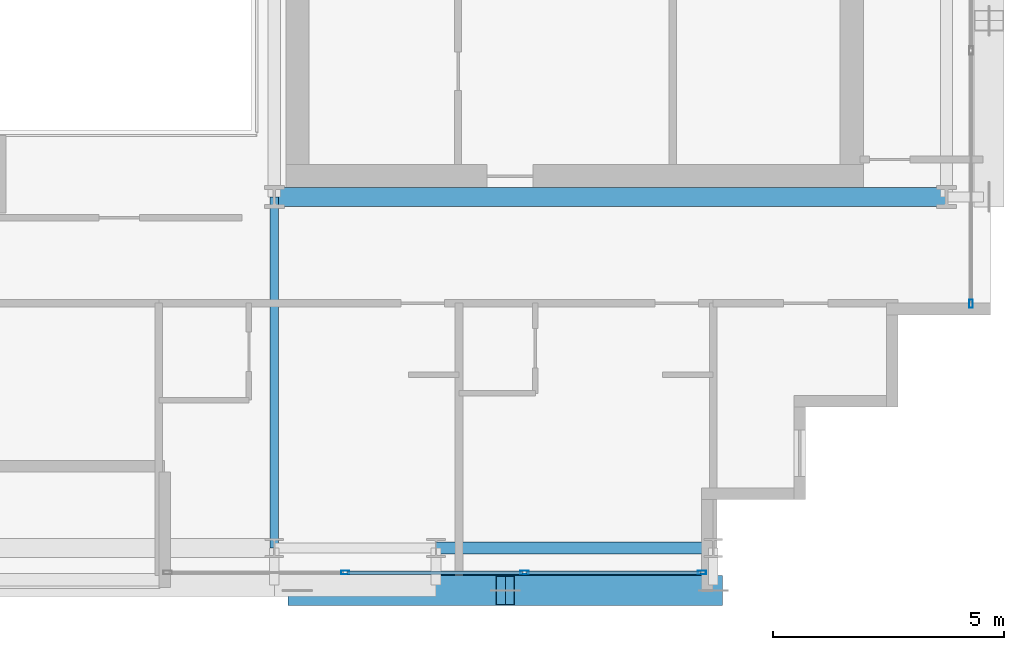
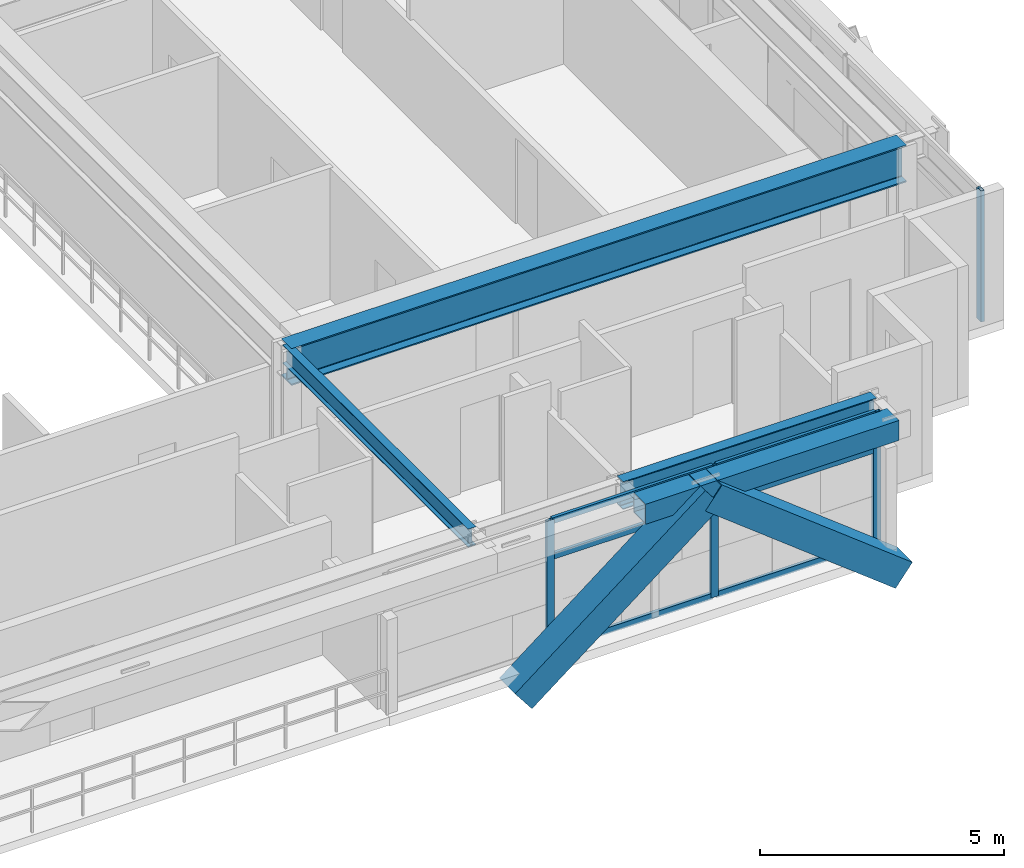
# One storey, part 10 of 32: 12 members, 4 beams, 2 elements without a shape of their own.
"""IFC4 building model written with IfcOpenShell, lengths in metres."""

from ifc_helpers import new_model, si_unit, direction, frame, origin, origin_2d, place, context, subcontext, project, spatial, hollow_rectangle, i_section, extrude, source, transform, mapped, material, layer, layer_set, material_profile, profile_set, type_object, element, aggregate, save


model = new_model("IFC4")

# Units and contexts
model_context = context("Model", 3, precision=1e-05, world=origin(), true_north=direction((0.0, 1.0)))
body_context = subcontext(model_context, "Body", "Model", "MODEL_VIEW")
ifc_project = project(units=[si_unit("LENGTHUNIT", "METRE"), si_unit("AREAUNIT", "SQUARE_METRE"), si_unit("VOLUMEUNIT", "CUBIC_METRE"), si_unit("PLANEANGLEUNIT", "RADIAN"), si_unit("MASSUNIT", "GRAM", prefix="KILO")], contexts=[model_context])

# Site, building, storey
site_placement = place(None, origin())
site = spatial("IfcSite", under=ifc_project, at=site_placement, CompositionType="ELEMENT")
building_placement = place(site_placement, origin())
building = spatial("IfcBuilding", under=site, at=building_placement, Name="Ocotamira Hotel", CompositionType="ELEMENT")
storey_placement = place(building_placement, frame((0.0, 0.0, 217.199951171875)))
storey = spatial("IfcBuildingStorey", under=building, at=storey_placement, Name="L55", CompositionType="ELEMENT", Elevation=217.199951171875)

# Beams
ifc_material_1 = material(Name="Steel ASTM A992 Grade 50", Category="steel")
ifc_material_profile_1 = material_profile(ifc_material_1, i_section(OverallWidth=0.41796875, OverallDepth=0.927001953125, WebThickness=0.019287109375, FlangeThickness=0.031982421875, FilletRadius=0.02392578125, at=origin_2d()), Name="W36X231")
ifc_profile_set_1 = profile_set([ifc_material_profile_1], Name="Steel ASTM A992 Grade 50")
beam_type_1 = type_object("IfcBeamType", Name="BM-GIRD-W36X231", PredefinedType="BEAM", material=ifc_profile_set_1)
shared_shape_1 = source(origin(), body_context, "Body", "SweptSolid", [
    extrude(i_section(OverallWidth=0.41796875, OverallDepth=0.927001953125, WebThickness=0.019287109375, FlangeThickness=0.031982421875, FilletRadius=0.02392578125, at=origin_2d()), origin(), (0.0, 0.0, 1.0), 14.550048828125),
])
beam_1_placement = place(storey_placement, frame((40.5, 14.550048828125, 2.816650390625), z_axis=(1.0, 0.0, 0.0), x_axis=(0.0, 1.0, 0.0)))
element("IfcBeam", 1, at=beam_1_placement, inside=storey, type_object=beam_type_1, Name="L55 Girder Y14.55 X40.5-55.05", PredefinedType="BEAM", context=body_context, shape_type="MappedRepresentation", body=[
    mapped(shared_shape_1, transform((0.0, 0.0, 0.0), scale=1.0)),
])
ifc_material_profile_2 = material_profile(ifc_material_1, i_section(OverallWidth=0.256103515625, OverallDepth=0.693115234375, WebThickness=0.014404296875, FlangeThickness=0.023681640625, FilletRadius=0.01611328125, at=origin_2d()), Name="W27X114")
ifc_profile_set_2 = profile_set([ifc_material_profile_2], Name="Steel ASTM A992 Grade 50")
beam_type_2 = type_object("IfcBeamType", Name="BM-PRIM-W27X114", PredefinedType="BEAM", material=ifc_profile_set_2)
shared_shape_2 = source(origin(), body_context, "Body", "SweptSolid", [
    extrude(i_section(OverallWidth=0.256103515625, OverallDepth=0.693115234375, WebThickness=0.014404296875, FlangeThickness=0.023681640625, FilletRadius=0.01611328125, at=origin_2d()), origin(), (0.0, 0.0, 1.0), 6.0),
])
beam_2_placement = place(storey_placement, frame((44.0, 6.949951171875, 2.93359375), z_axis=(1.0, 0.0, 0.0), x_axis=(0.0, 1.0, 0.0)))
element("IfcBeam", 2, at=beam_2_placement, inside=storey, type_object=beam_type_2, Name="L55 Girder Y6.95 X44-50", PredefinedType="BEAM", context=body_context, shape_type="MappedRepresentation", body=[
    mapped(shared_shape_2, transform((0.0, 0.0, 0.0), scale=1.0)),
])
ifc_material_2 = material(Name="Steel ASTM A500 Grade C", Category="steel")
ifc_material_profile_3 = material_profile(ifc_material_2, hollow_rectangle(XDim=0.5, YDim=0.5, WallThickness=0.02001953125, at=origin_2d()), Name="HSS500X500X20")
ifc_profile_set_3 = profile_set([ifc_material_profile_3], Name="Steel ASTM A500 Grade C")
beam_type_3 = type_object("IfcBeamType", Name="BM-SPAN-HSS500", PredefinedType="USERDEFINED", material=ifc_profile_set_3)
shared_shape_3 = source(origin(), body_context, "Body", "SweptSolid", [
    extrude(hollow_rectangle(XDim=0.5, YDim=0.5, WallThickness=0.02001953125, at=origin_2d()), origin(), (0.0, 0.0, 1.0), 6.0),
])
beam_3_placement = place(storey_placement, frame((44.0, 6.14990234375, 3.030029296875), z_axis=(1.0, 0.0, 0.0), x_axis=(0.0, 1.0, 0.0)))
element("IfcBeam", 3, at=beam_3_placement, inside=storey, type_object=beam_type_3, Name="L55 Edge Spandrel S X44-50", ObjectType="SPANDREL", PredefinedType="USERDEFINED", context=body_context, shape_type="MappedRepresentation", body=[
    mapped(shared_shape_3, transform((0.0, 0.0, 0.0), scale=1.0)),
])
ifc_material_profile_4 = material_profile(ifc_material_1, i_section(OverallWidth=0.18994140625, OverallDepth=0.45703125, WebThickness=0.009033203125, FlangeThickness=0.014404296875, FilletRadius=0.010009765625, at=origin_2d()), Name="W18X50")
ifc_profile_set_4 = profile_set([ifc_material_profile_4], Name="Steel ASTM A992 Grade 50")
beam_type_4 = type_object("IfcBeamType", Name="BM-SEC-W18X50", PredefinedType="JOIST", material=ifc_profile_set_4)
shared_shape_4 = source(origin(), body_context, "Body", "SweptSolid", [
    extrude(i_section(OverallWidth=0.18994140625, OverallDepth=0.45703125, WebThickness=0.009033203125, FlangeThickness=0.014404296875, FilletRadius=0.010009765625, at=origin_2d()), origin(), (0.0, 0.0, 1.0), 7.60009765625),
])
beam_4_placement = place(storey_placement, frame((40.5, 6.949951171875, 3.051513671875), z_axis=(0.0, 1.0, 0.0), x_axis=(-1.0, 0.0, 0.0)))
element("IfcBeam", 4, at=beam_4_placement, inside=storey, type_object=beam_type_4, Name="L55 Beam X40.5 Y6.95-14.55", PredefinedType="JOIST", context=body_context, shape_type="MappedRepresentation", body=[
    mapped(shared_shape_4, transform((0.0, 0.0, 0.0), scale=1.0)),
])

# Members
ifc_material_3 = material(Name="Pale-metal coated steel ASTM A913 Grade 65", Category="steel")
ifc_material_profile_5 = material_profile(ifc_material_3, hollow_rectangle(XDim=0.64990234375, YDim=0.64990234375, WallThickness=0.02197265625, at=origin_2d()), Name="BOX650X650X22")
ifc_profile_set_5 = profile_set([ifc_material_profile_5], Name="Pale-metal coated steel ASTM A913 Grade 65")
member_type_1 = type_object("IfcMemberType", Name="MEM-EXO-BOX650", PredefinedType="BRACE", material=ifc_profile_set_5)
shared_shape_5 = source(origin(), body_context, "Body", "SweptSolid", [
    extrude(hollow_rectangle(XDim=0.64990234375, YDim=0.64990234375, WallThickness=0.02197265625, at=origin_2d()), origin(), (0.0, 0.0, 1.0), 5.70703125),
])
for number, where, z_axis, x_axis, name in (
    (5, (41.0, 6.030029296875, -0.47998046875), (0.788501476184, 0.0, 0.615032862581), (0.0, 1.0, 0.0), "L55 Exoskeleton Diagrid S3.1"),
    (6, (50.0, 6.030029296875, -0.47998046875), (-0.788501476184, 0.0, 0.615032862581), (0.0, -1.0, 0.0), "L55 Exoskeleton Diagrid S3.2"),
):
    element("IfcMember", number, at=place(storey_placement, frame(where, z_axis=z_axis, x_axis=x_axis)), inside=storey, type_object=member_type_1, Name=name, PredefinedType="BRACE", context=body_context, shape_type="MappedRepresentation", body=[
        mapped(shared_shape_5, transform((0.0, 0.0, 0.0), scale=1.0)),
    ])

# Curtain wall, members
ifc_material_4 = material(Name="Anodised pale-metal aluminium and solar glass", Category="aluminium")
ifc_layer = layer(ifc_material_4, 0.199951171875)
ifc_layer_set = layer_set([ifc_layer], Name="Anodised pale-metal aluminium and solar glass")
curtain_wall_type = type_object("IfcCurtainWallType", Name="CW-SYS4-Z3", PredefinedType="NOTDEFINED", material=ifc_layer_set)
curtain_wall_1_placement = place(storey_placement, origin())
curtain_wall_1 = element("IfcCurtainWall", 7, at=curtain_wall_1_placement, inside=storey, type_object=curtain_wall_type, Name="L55 Curtain Wall CW-4 CW-L55-S2", PredefinedType="NOTDEFINED")
ifc_material_5 = material(Name="Anodised pale-metal aluminium 6063-T6", Category="aluminium")
ifc_material_profile_6 = material_profile(ifc_material_5, hollow_rectangle(XDim=0.074951171875, YDim=0.14990234375, WallThickness=0.006103515625, at=origin_2d()), Name="HSS150X75X6")
ifc_profile_set_6 = profile_set([ifc_material_profile_6], Name="Anodised pale-metal aluminium 6063-T6")
member_type_2 = type_object("IfcMemberType", Name="CWT-150X75", PredefinedType="USERDEFINED", material=ifc_profile_set_6)
shared_shape_6 = source(origin(), body_context, "Body", "SweptSolid", [
    extrude(hollow_rectangle(XDim=0.074951171875, YDim=0.14990234375, WallThickness=0.006103515625, at=origin_2d()), origin(), (0.0, 0.0, 1.0), 3.76318359375),
])
member_1_placement = place(storey_placement, frame((45.956787109375, 6.419921875, 0.03759765625), z_axis=(1.0, 0.0, 0.0), x_axis=(0.0, 1.0, 0.0)))
member_1 = element("IfcMember", 8, at=member_1_placement, type_object=member_type_2, Name="CW-4 transom 3.1", ObjectType="TRANSOM", PredefinedType="USERDEFINED", context=body_context, shape_type="MappedRepresentation", body=[
    mapped(shared_shape_6, transform((0.0, 0.0, 0.0), scale=1.0)),
])
member_2_placement = place(storey_placement, frame((45.956787109375, 6.419921875, 2.35009765625), z_axis=(1.0, 0.0, 0.0), x_axis=(0.0, 1.0, 0.0)))
member_2 = element("IfcMember", 9, at=member_2_placement, type_object=member_type_2, Name="CW-4 transom 3.2", ObjectType="TRANSOM", PredefinedType="USERDEFINED", context=body_context, shape_type="MappedRepresentation", body=[
    mapped(shared_shape_6, transform((0.0, 0.0, 0.0), scale=1.0)),
])
member_3_placement = place(storey_placement, frame((45.956787109375, 6.419921875, 3.242431640625), z_axis=(1.0, 0.0, 0.0), x_axis=(0.0, 1.0, 0.0)))
member_3 = element("IfcMember", 10, at=member_3_placement, type_object=member_type_2, Name="CW-4 transom 3.3", ObjectType="TRANSOM", PredefinedType="USERDEFINED", context=body_context, shape_type="MappedRepresentation", body=[
    mapped(shared_shape_6, transform((0.0, 0.0, 0.0), scale=1.0)),
])
shared_shape_7 = source(origin(), body_context, "Body", "SweptSolid", [
    extrude(hollow_rectangle(XDim=0.074951171875, YDim=0.14990234375, WallThickness=0.006103515625, at=origin_2d()), origin(), (0.0, 0.0, 1.0), 3.803466796875),
])
member_4_placement = place(storey_placement, frame((42.0732421875, 6.419921875, 0.03759765625), z_axis=(1.0, 0.0, 0.0), x_axis=(0.0, 1.0, 0.0)))
member_4 = element("IfcMember", 11, at=member_4_placement, type_object=member_type_2, Name="CW-4 transom 2.1", ObjectType="TRANSOM", PredefinedType="USERDEFINED", context=body_context, shape_type="MappedRepresentation", body=[
    mapped(shared_shape_7, transform((0.0, 0.0, 0.0), scale=1.0)),
])
member_5_placement = place(storey_placement, frame((42.0732421875, 6.419921875, 2.35009765625), z_axis=(1.0, 0.0, 0.0), x_axis=(0.0, 1.0, 0.0)))
member_5 = element("IfcMember", 12, at=member_5_placement, type_object=member_type_2, Name="CW-4 transom 2.2", ObjectType="TRANSOM", PredefinedType="USERDEFINED", context=body_context, shape_type="MappedRepresentation", body=[
    mapped(shared_shape_7, transform((0.0, 0.0, 0.0), scale=1.0)),
])
member_6_placement = place(storey_placement, frame((42.0732421875, 6.419921875, 3.242431640625), z_axis=(1.0, 0.0, 0.0), x_axis=(0.0, 1.0, 0.0)))
member_6 = element("IfcMember", 13, at=member_6_placement, type_object=member_type_2, Name="CW-4 transom 2.3", ObjectType="TRANSOM", PredefinedType="USERDEFINED", context=body_context, shape_type="MappedRepresentation", body=[
    mapped(shared_shape_7, transform((0.0, 0.0, 0.0), scale=1.0)),
])
ifc_material_profile_7 = material_profile(ifc_material_5, hollow_rectangle(XDim=0.080078125, YDim=0.179931640625, WallThickness=0.006103515625, at=origin_2d()), Name="HSS180X80X6")
ifc_profile_set_7 = profile_set([ifc_material_profile_7], Name="Anodised pale-metal aluminium 6063-T6")
member_type_3 = type_object("IfcMemberType", Name="CWM-180X75", PredefinedType="MULLION", material=ifc_profile_set_7)
shared_shape_8 = source(origin(), body_context, "Body", "SweptSolid", [
    extrude(hollow_rectangle(XDim=0.080078125, YDim=0.179931640625, WallThickness=0.006103515625, at=origin_2d()), origin(), (0.0, 0.0, 1.0), 3.280029296875),
])
member_7_placement = place(storey_placement, frame((42.033447265625, 6.419921875, 0.0), z_axis=(0.0, 0.0, 1.0), x_axis=(0.0, 1.0, 0.0)))
member_7 = element("IfcMember", 14, at=member_7_placement, type_object=member_type_3, Name="CW-4 mullion 2", PredefinedType="MULLION", context=body_context, shape_type="MappedRepresentation", body=[
    mapped(shared_shape_8, transform((0.0, 0.0, 0.0), scale=1.0)),
])
member_8_placement = place(storey_placement, frame((45.916748046875, 6.419921875, 0.0), z_axis=(0.0, 0.0, 1.0), x_axis=(0.0, 1.0, 0.0)))
member_8 = element("IfcMember", 15, at=member_8_placement, type_object=member_type_3, Name="CW-4 mullion 3", PredefinedType="MULLION", context=body_context, shape_type="MappedRepresentation", body=[
    mapped(shared_shape_8, transform((0.0, 0.0, 0.0), scale=1.0)),
])
member_9_placement = place(storey_placement, frame((49.760009765625, 6.419921875, 0.0), z_axis=(0.0, 0.0, 1.0), x_axis=(0.0, 1.0, 0.0)))
member_9 = element("IfcMember", 16, at=member_9_placement, type_object=member_type_3, Name="CW-4 mullion 4", PredefinedType="MULLION", context=body_context, shape_type="MappedRepresentation", body=[
    mapped(shared_shape_8, transform((0.0, 0.0, 0.0), scale=1.0)),
])
aggregate(curtain_wall_1, [member_7, member_8, member_9, member_4, member_5, member_6, member_1, member_2, member_3])

# Curtain wall, member
curtain_wall_2_placement = place(storey_placement, origin())
curtain_wall_2 = element("IfcCurtainWall", 17, at=curtain_wall_2_placement, inside=storey, type_object=curtain_wall_type, Name="L55 Curtain Wall CW-4 CW-L55-E", PredefinedType="NOTDEFINED")
member_10_placement = place(storey_placement, frame((55.580078125, 12.239990234375, 0.0), z_axis=(0.0, 0.0, 1.0), x_axis=(-1.0, 0.0, 0.0)))
member_10 = element("IfcMember", 18, at=member_10_placement, type_object=member_type_3, Name="CW-4 mullion 1", PredefinedType="MULLION", context=body_context, shape_type="MappedRepresentation", body=[
    mapped(shared_shape_8, transform((0.0, 0.0, 0.0), scale=1.0)),
])
aggregate(curtain_wall_2, [member_10])

save(model, "model.ifc")
